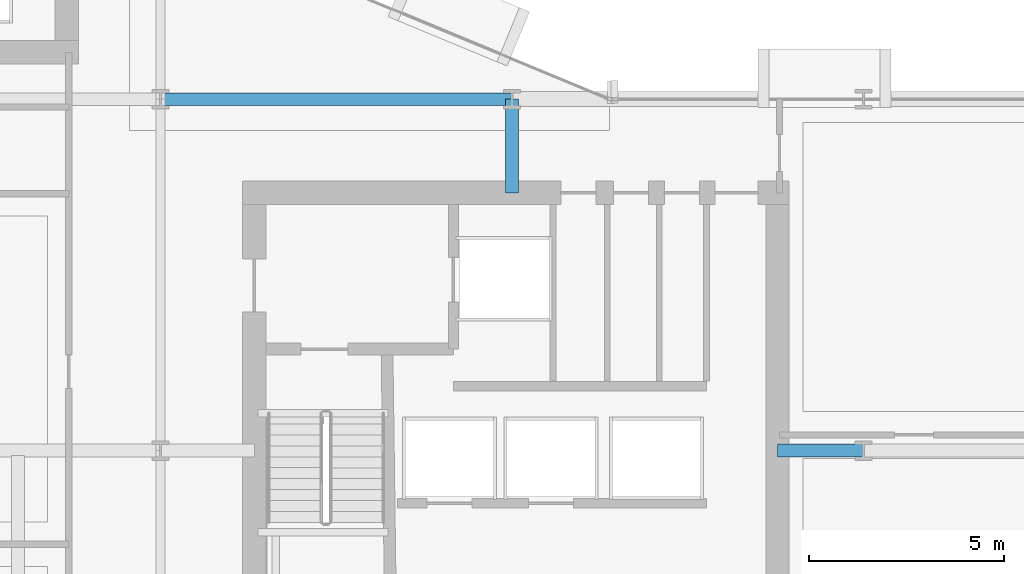
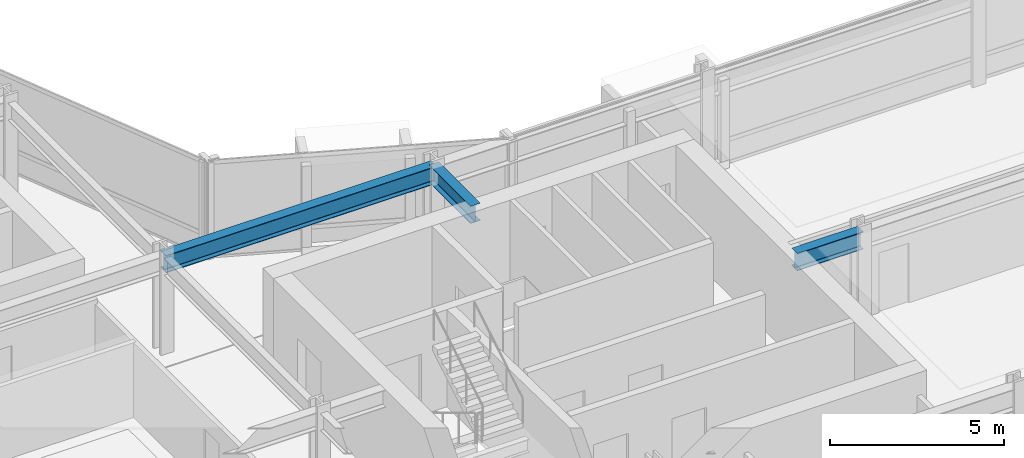
# One storey, part 14 of 34: 3 beams.
"""IFC4 building model written with IfcOpenShell, lengths in metres."""

from ifc_helpers import new_model, si_unit, direction, frame, origin, origin_2d, place, context, subcontext, project, spatial, i_section, extrude, material, material_profile, profile_set, type_object, element, save


model = new_model("IFC4")

# Units and contexts
model_context = context("Model", 3, precision=1e-05, world=origin(), true_north=direction((0.0, 1.0)))
body_context = subcontext(model_context, "Body", "Model", "MODEL_VIEW")
ifc_project = project(units=[si_unit("LENGTHUNIT", "METRE"), si_unit("AREAUNIT", "SQUARE_METRE"), si_unit("VOLUMEUNIT", "CUBIC_METRE"), si_unit("PLANEANGLEUNIT", "RADIAN"), si_unit("MASSUNIT", "GRAM", prefix="KILO")], contexts=[model_context])

# Site, building, storey
site_placement = place(None, origin())
site = spatial("IfcSite", under=ifc_project, at=site_placement, CompositionType="ELEMENT")
building_placement = place(site_placement, origin())
building = spatial("IfcBuilding", under=site, at=building_placement, Name="Solvaryn Broadcast Tower", CompositionType="ELEMENT")
storey_placement = place(building_placement, frame((0.0, 0.0, 58.199951171875)))
storey = spatial("IfcBuildingStorey", under=building, at=storey_placement, Name="L13", CompositionType="ELEMENT", Elevation=58.199951171875)

# Beams
ifc_material = material(Name="Steel ASTM A992 Grade 50", Category="steel")
ifc_material_profile = material_profile(ifc_material, i_section(OverallWidth=0.323974609375, OverallDepth=0.611083984375, WebThickness=0.0126953125, FlangeThickness=0.01904296875, FilletRadius=0.014892578125, at=origin_2d()))
ifc_profile_set = profile_set([ifc_material_profile], Name="Steel ASTM A992 Grade 50")
beam_type = type_object("IfcBeamType", Name="BM-B1-W24X104", PredefinedType="BEAM", material=ifc_profile_set)
beam_1_placement = place(storey_placement, frame((27.0, 27.0, 3.114501953125), z_axis=(1.0, 0.0, 0.0), x_axis=(0.0, 1.0, 0.0)))
element("IfcBeam", 1, at=beam_1_placement, inside=storey, type_object=beam_type, Name="L13 Primary Beam X (27-36 @ Y=27)", PredefinedType="BEAM", context=body_context, shape_type="SweptSolid", body=[
    extrude(i_section(OverallWidth=0.323974609375, OverallDepth=0.611083984375, WebThickness=0.0126953125, FlangeThickness=0.01904296875, FilletRadius=0.014892578125, at=origin_2d()), origin(), (0.0, 0.0, 1.0), 9.0),
])
beam_2_placement = place(storey_placement, frame((36.0, 24.60009765625, 3.114501953125), z_axis=(0.0, 1.0, 0.0), x_axis=(-1.0, 0.0, 0.0)))
element("IfcBeam", 2, at=beam_2_placement, inside=storey, type_object=beam_type, Name="L13 Core Tie Beam CTE2", PredefinedType="BEAM", context=body_context, shape_type="SweptSolid", body=[
    extrude(i_section(OverallWidth=0.323974609375, OverallDepth=0.611083984375, WebThickness=0.0126953125, FlangeThickness=0.01904296875, FilletRadius=0.014892578125, at=origin_2d()), origin(), (0.0, 0.0, 1.0), 2.39990234375),
])
beam_3_placement = place(storey_placement, frame((42.800048828125, 18.0, 3.114501953125), z_axis=(1.0, 0.0, 0.0), x_axis=(0.0, 1.0, 0.0)))
element("IfcBeam", 3, at=beam_3_placement, inside=storey, type_object=beam_type, Name="L13 Core Tie Beam CTE3", PredefinedType="BEAM", context=body_context, shape_type="SweptSolid", body=[
    extrude(i_section(OverallWidth=0.323974609375, OverallDepth=0.611083984375, WebThickness=0.0126953125, FlangeThickness=0.01904296875, FilletRadius=0.014892578125, at=origin_2d()), origin(), (0.0, 0.0, 1.0), 2.199951171875),
])

save(model, "model.ifc")
